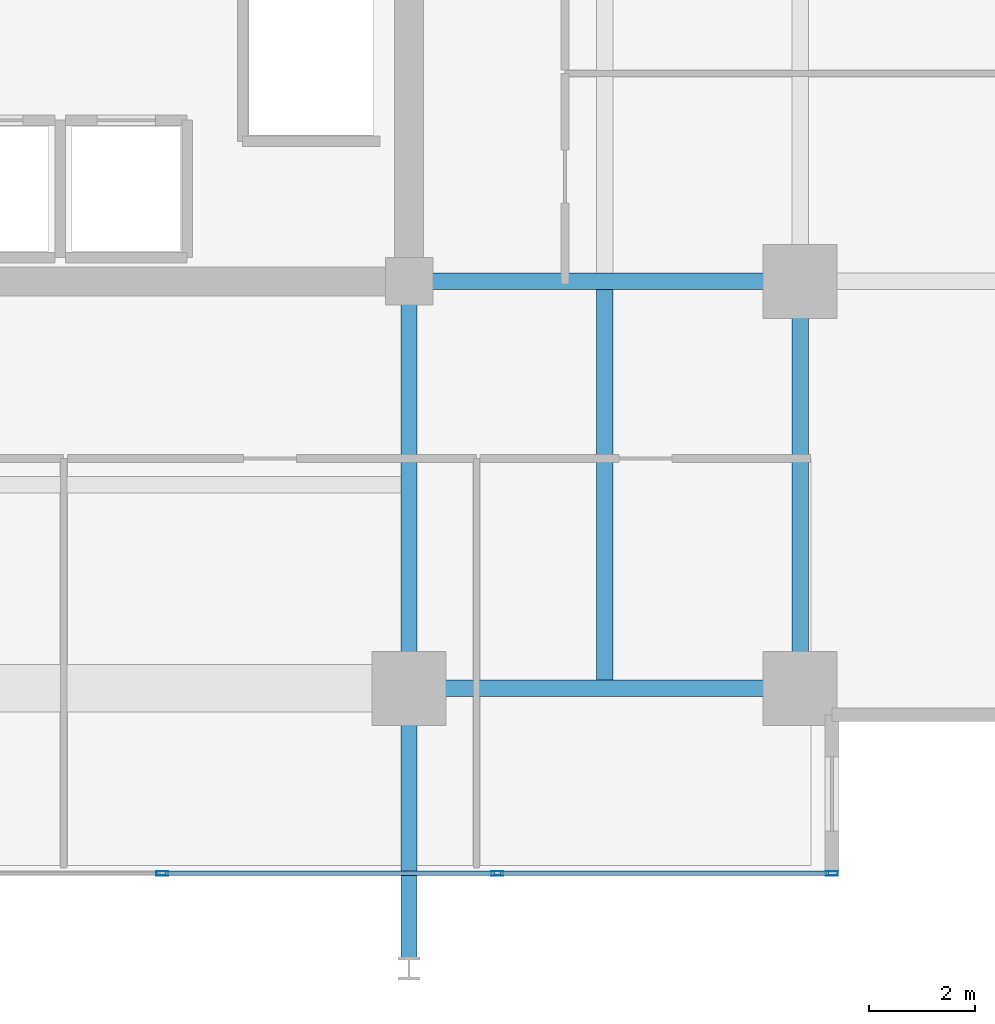
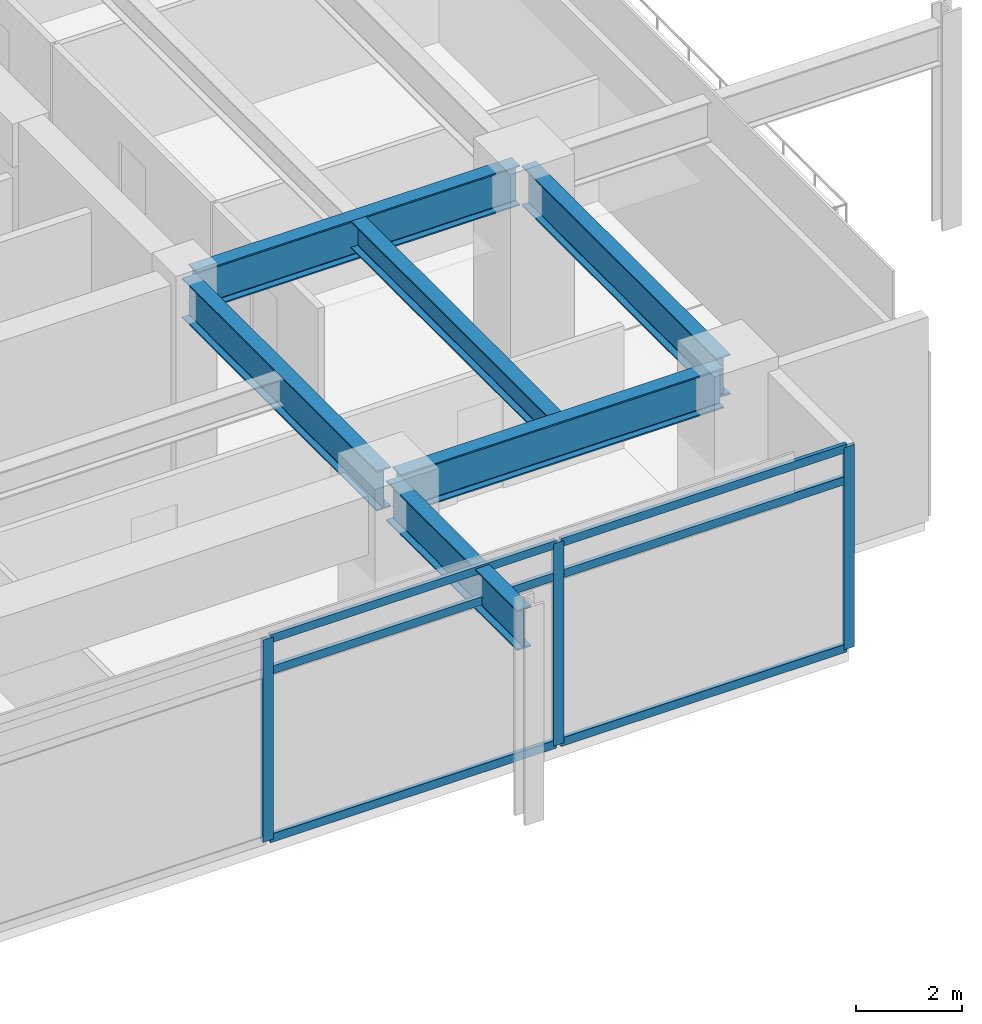
# One storey, part 5 of 19: 9 members, 6 beams, 1 element without a shape of its own.
"""IFC4 building model written with IfcOpenShell, lengths in metres."""

from ifc_helpers import new_model, si_unit, direction, frame, origin, origin_2d, place, context, subcontext, project, spatial, hollow_rectangle, i_section, extrude, material, material_profile, profile_set, type_object, element, aggregate, save


model = new_model("IFC4")

# Units and contexts
model_context = context("Model", 3, precision=1e-05, world=origin(), true_north=direction((0.0, 1.0)))
body_context = subcontext(model_context, "Body", "Model", "MODEL_VIEW")
ifc_project = project(units=[si_unit("LENGTHUNIT", "METRE"), si_unit("AREAUNIT", "SQUARE_METRE"), si_unit("VOLUMEUNIT", "CUBIC_METRE"), si_unit("PLANEANGLEUNIT", "RADIAN"), si_unit("MASSUNIT", "GRAM", prefix="KILO")], contexts=[model_context])

# Site, building, storey
site_placement = place(None, origin())
site = spatial("IfcSite", under=ifc_project, at=site_placement, CompositionType="ELEMENT")
building_placement = place(site_placement, origin())
building = spatial("IfcBuilding", under=site, at=building_placement, Name="Kovane Verandah Tower", CompositionType="ELEMENT")
storey_placement = place(building_placement, frame((0.0, 0.0, 184.39990234375)))
storey = spatial("IfcBuildingStorey", under=building, at=storey_placement, Name="L43", CompositionType="ELEMENT", Elevation=184.39990234375)

# Beams
ifc_material_1 = material(Name="Steel S460", Category="steel")
ifc_material_profile_1 = material_profile(ifc_material_1, i_section(OverallWidth=0.311279296875, OverallDepth=0.6357421875, WebThickness=0.018310546875, FlangeThickness=0.031494140625, FilletRadius=0.0166015625, at=origin_2d()), Name="UB610x305x238")
ifc_profile_set_1 = profile_set([ifc_material_profile_1], Name="Steel S460")
beam_type_1 = type_object("IfcBeamType", Name="BM-UB610x238", PredefinedType="BEAM", material=ifc_profile_set_1)
beam_1_placement = place(storey_placement, frame((54.699951171875, 10.951904296875, 4.382080078125), z_axis=(0.0, 1.0, 0.0), x_axis=(-1.0, 0.0, 0.0)))
element("IfcBeam", 1, at=beam_1_placement, inside=storey, type_object=beam_type_1, Name="L43 Secondary Composite Joist J-SE1", PredefinedType="BEAM", context=body_context, shape_type="SweptSolid", body=[
    extrude(i_section(OverallWidth=0.311279296875, OverallDepth=0.6357421875, WebThickness=0.018310546875, FlangeThickness=0.031494140625, FilletRadius=0.0166015625, at=origin_2d()), origin(), (0.0, 0.0, 1.0), 7.396240234375),
])
ifc_material_profile_2 = material_profile(ifc_material_1, i_section(OverallWidth=0.3076171875, OverallDepth=0.926513671875, WebThickness=0.01953125, FlangeThickness=0.031982421875, FilletRadius=0.01904296875, at=origin_2d()), Name="UB914x305x289")
ifc_profile_set_2 = profile_set([ifc_material_profile_2], Name="Steel S460")
beam_type_2 = type_object("IfcBeamType", Name="BM-UB914x289", PredefinedType="BEAM", material=ifc_profile_set_2)
beam_2_placement = place(storey_placement, frame((51.179931640625, 10.800048828125, 4.23681640625), z_axis=(1.0, 0.0, 0.0), x_axis=(0.0, 1.0, 0.0)))
element("IfcBeam", 2, at=beam_2_placement, inside=storey, type_object=beam_type_2, Name="L43 Primary Tower Girder G-RS3", PredefinedType="BEAM", context=body_context, shape_type="SweptSolid", body=[
    extrude(i_section(OverallWidth=0.3076171875, OverallDepth=0.926513671875, WebThickness=0.01953125, FlangeThickness=0.031982421875, FilletRadius=0.01904296875, at=origin_2d()), origin(), (0.0, 0.0, 1.0), 7.0400390625),
])
beam_3_placement = place(storey_placement, frame((58.39990234375, 10.97998046875, 4.23681640625), z_axis=(0.0, 1.0, 0.0), x_axis=(-1.0, 0.0, 0.0)))
element("IfcBeam", 3, at=beam_3_placement, inside=storey, type_object=beam_type_2, Name="L43 Primary Tower Girder G-RE1", PredefinedType="BEAM", context=body_context, shape_type="SweptSolid", body=[
    extrude(i_section(OverallWidth=0.3076171875, OverallDepth=0.926513671875, WebThickness=0.01953125, FlangeThickness=0.031982421875, FilletRadius=0.01904296875, at=origin_2d()), origin(), (0.0, 0.0, 1.0), 7.340087890625),
])
beam_4_placement = place(storey_placement, frame((51.179931640625, 18.5, 4.23681640625), z_axis=(1.0, 0.0, 0.0), x_axis=(0.0, 1.0, 0.0)))
element("IfcBeam", 4, at=beam_4_placement, inside=storey, type_object=beam_type_2, Name="L43 Primary Tower Girder G-E1", PredefinedType="BEAM", context=body_context, shape_type="SweptSolid", body=[
    extrude(i_section(OverallWidth=0.3076171875, OverallDepth=0.926513671875, WebThickness=0.01953125, FlangeThickness=0.031982421875, FilletRadius=0.01904296875, at=origin_2d()), origin(), (0.0, 0.0, 1.0), 7.0400390625),
])
beam_5_placement = place(storey_placement, frame((51.0, 18.320068359375, 4.23681640625), z_axis=(0.0, -1.0, 0.0), x_axis=(1.0, 0.0, 0.0)))
element("IfcBeam", 5, at=beam_5_placement, inside=storey, type_object=beam_type_2, Name="L43 Primary Tower Girder G-S2", PredefinedType="BEAM", context=body_context, shape_type="SweptSolid", body=[
    extrude(i_section(OverallWidth=0.3076171875, OverallDepth=0.926513671875, WebThickness=0.01953125, FlangeThickness=0.031982421875, FilletRadius=0.01904296875, at=origin_2d()), origin(), (0.0, 0.0, 1.0), 7.340087890625),
])
beam_6_placement = place(storey_placement, frame((51.0, 10.6201171875, 4.23681640625), z_axis=(0.0, -1.0, 0.0), x_axis=(1.0, 0.0, 0.0)))
element("IfcBeam", 6, at=beam_6_placement, inside=storey, type_object=beam_type_2, Name="L43 Primary Tower Girder G-VS2", PredefinedType="BEAM", context=body_context, shape_type="SweptSolid", body=[
    extrude(i_section(OverallWidth=0.3076171875, OverallDepth=0.926513671875, WebThickness=0.01953125, FlangeThickness=0.031982421875, FilletRadius=0.01904296875, at=origin_2d()), origin(), (0.0, 0.0, 1.0), 4.940185546875),
])

# Curtain wall, members
ifc_material_2 = material(Name="Champagne Anodised Aluminium Frame with Low-E Clear Laminated Glass", Category="aluminium")
curtain_wall_type = type_object("IfcCurtainWallType", Name="CW-SYS-04-WAIST", PredefinedType="NOTDEFINED", material=ifc_material_2)
curtain_wall_placement = place(storey_placement, origin())
curtain_wall = element("IfcCurtainWall", 7, at=curtain_wall_placement, inside=storey, type_object=curtain_wall_type, Name="L43 S Unitised Curtain Wall", PredefinedType="NOTDEFINED")
ifc_material_3 = material(Name="Champagne Anodised Aluminium 6063-T6", Category="aluminium")
ifc_material_profile_3 = material_profile(ifc_material_3, hollow_rectangle(XDim=0.0849609375, YDim=0.22998046875, WallThickness=0.00390625, at=origin_2d()), Name="AL85x230x4")
ifc_profile_set_3 = profile_set([ifc_material_profile_3], Name="Champagne Anodised Aluminium 6063-T6")
member_type_1 = type_object("IfcMemberType", Name="CW-MUL-85x230", PredefinedType="MULLION", material=ifc_profile_set_3)
member_1_placement = place(storey_placement, frame((46.333251953125, 7.300048828125, 0.02001953125), z_axis=(0.0, 0.0, 1.0), x_axis=(0.0, -1.0, 0.0)))
member_1 = element("IfcMember", 8, at=member_1_placement, type_object=member_type_1, Name="L43 S Unitised Curtain Wall Mullion 5", PredefinedType="MULLION", context=body_context, shape_type="SweptSolid", body=[
    extrude(hollow_rectangle(XDim=0.0849609375, YDim=0.22998046875, WallThickness=0.00390625, at=origin_2d()), origin(), (0.0, 0.0, 1.0), 4.66015625),
])
member_2_placement = place(storey_placement, frame((52.666748046875, 7.300048828125, 0.02001953125), z_axis=(0.0, 0.0, 1.0), x_axis=(0.0, -1.0, 0.0)))
member_2 = element("IfcMember", 9, at=member_2_placement, type_object=member_type_1, Name="L43 S Unitised Curtain Wall Mullion 6", PredefinedType="MULLION", context=body_context, shape_type="SweptSolid", body=[
    extrude(hollow_rectangle(XDim=0.0849609375, YDim=0.22998046875, WallThickness=0.00390625, at=origin_2d()), origin(), (0.0, 0.0, 1.0), 4.66015625),
])
member_3_placement = place(storey_placement, frame((59.0, 7.300048828125, 0.02001953125), z_axis=(0.0, 0.0, 1.0), x_axis=(0.0, -1.0, 0.0)))
member_3 = element("IfcMember", 10, at=member_3_placement, type_object=member_type_1, Name="L43 S Unitised Curtain Wall Mullion 7", PredefinedType="MULLION", context=body_context, shape_type="SweptSolid", body=[
    extrude(hollow_rectangle(XDim=0.0849609375, YDim=0.22998046875, WallThickness=0.00390625, at=origin_2d()), origin(), (0.0, 0.0, 1.0), 4.66015625),
])
ifc_material_profile_4 = material_profile(ifc_material_3, hollow_rectangle(XDim=0.0849609375, YDim=0.18994140625, WallThickness=0.00390625, at=origin_2d()), Name="AL85x190x4")
ifc_profile_set_4 = profile_set([ifc_material_profile_4], Name="Champagne Anodised Aluminium 6063-T6")
member_type_2 = type_object("IfcMemberType", Name="CW-TRN-85x190", PredefinedType="USERDEFINED", material=ifc_profile_set_4)
member_4_placement = place(storey_placement, frame((46.38330078125, 7.300048828125, 0.050048828125), z_axis=(1.0, 0.0, 0.0), x_axis=(0.0, 1.0, 0.0)))
member_4 = element("IfcMember", 11, at=member_4_placement, type_object=member_type_2, Name="L43 S Unitised Curtain Wall Transom TB Bay 5", ObjectType="TRANSOM", PredefinedType="USERDEFINED", context=body_context, shape_type="SweptSolid", body=[
    extrude(hollow_rectangle(XDim=0.0849609375, YDim=0.18994140625, WallThickness=0.00390625, at=origin_2d()), origin(), (0.0, 0.0, 1.0), 6.2333984375),
])
member_5_placement = place(storey_placement, frame((46.38330078125, 7.300048828125, 3.920166015625), z_axis=(1.0, 0.0, 0.0), x_axis=(0.0, 1.0, 0.0)))
member_5 = element("IfcMember", 12, at=member_5_placement, type_object=member_type_2, Name="L43 S Unitised Curtain Wall Transom TM Bay 5", ObjectType="TRANSOM", PredefinedType="USERDEFINED", context=body_context, shape_type="SweptSolid", body=[
    extrude(hollow_rectangle(XDim=0.0849609375, YDim=0.18994140625, WallThickness=0.00390625, at=origin_2d()), origin(), (0.0, 0.0, 1.0), 6.2333984375),
])
member_6_placement = place(storey_placement, frame((46.38330078125, 7.300048828125, 4.650146484375), z_axis=(1.0, 0.0, 0.0), x_axis=(0.0, 1.0, 0.0)))
member_6 = element("IfcMember", 13, at=member_6_placement, type_object=member_type_2, Name="L43 S Unitised Curtain Wall Transom TT Bay 5", ObjectType="TRANSOM", PredefinedType="USERDEFINED", context=body_context, shape_type="SweptSolid", body=[
    extrude(hollow_rectangle(XDim=0.0849609375, YDim=0.18994140625, WallThickness=0.00390625, at=origin_2d()), origin(), (0.0, 0.0, 1.0), 6.2333984375),
])
member_7_placement = place(storey_placement, frame((52.716796875, 7.300048828125, 0.050048828125), z_axis=(1.0, 0.0, 0.0), x_axis=(0.0, 1.0, 0.0)))
member_7 = element("IfcMember", 14, at=member_7_placement, type_object=member_type_2, Name="L43 S Unitised Curtain Wall Transom TB Bay 6", ObjectType="TRANSOM", PredefinedType="USERDEFINED", context=body_context, shape_type="SweptSolid", body=[
    extrude(hollow_rectangle(XDim=0.0849609375, YDim=0.18994140625, WallThickness=0.00390625, at=origin_2d()), origin(), (0.0, 0.0, 1.0), 6.233154296875),
])
member_8_placement = place(storey_placement, frame((52.716796875, 7.300048828125, 3.920166015625), z_axis=(1.0, 0.0, 0.0), x_axis=(0.0, 1.0, 0.0)))
member_8 = element("IfcMember", 15, at=member_8_placement, type_object=member_type_2, Name="L43 S Unitised Curtain Wall Transom TM Bay 6", ObjectType="TRANSOM", PredefinedType="USERDEFINED", context=body_context, shape_type="SweptSolid", body=[
    extrude(hollow_rectangle(XDim=0.0849609375, YDim=0.18994140625, WallThickness=0.00390625, at=origin_2d()), origin(), (0.0, 0.0, 1.0), 6.233154296875),
])
member_9_placement = place(storey_placement, frame((52.716796875, 7.300048828125, 4.650146484375), z_axis=(1.0, 0.0, 0.0), x_axis=(0.0, 1.0, 0.0)))
member_9 = element("IfcMember", 16, at=member_9_placement, type_object=member_type_2, Name="L43 S Unitised Curtain Wall Transom TT Bay 6", ObjectType="TRANSOM", PredefinedType="USERDEFINED", context=body_context, shape_type="SweptSolid", body=[
    extrude(hollow_rectangle(XDim=0.0849609375, YDim=0.18994140625, WallThickness=0.00390625, at=origin_2d()), origin(), (0.0, 0.0, 1.0), 6.233154296875),
])
aggregate(curtain_wall, [member_1, member_2, member_3, member_4, member_5, member_6, member_7, member_8, member_9])

save(model, "model.ifc")
